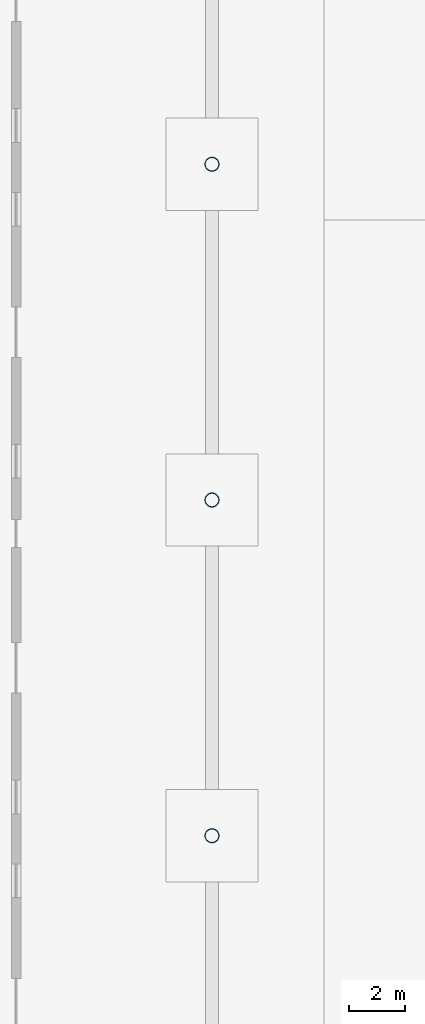
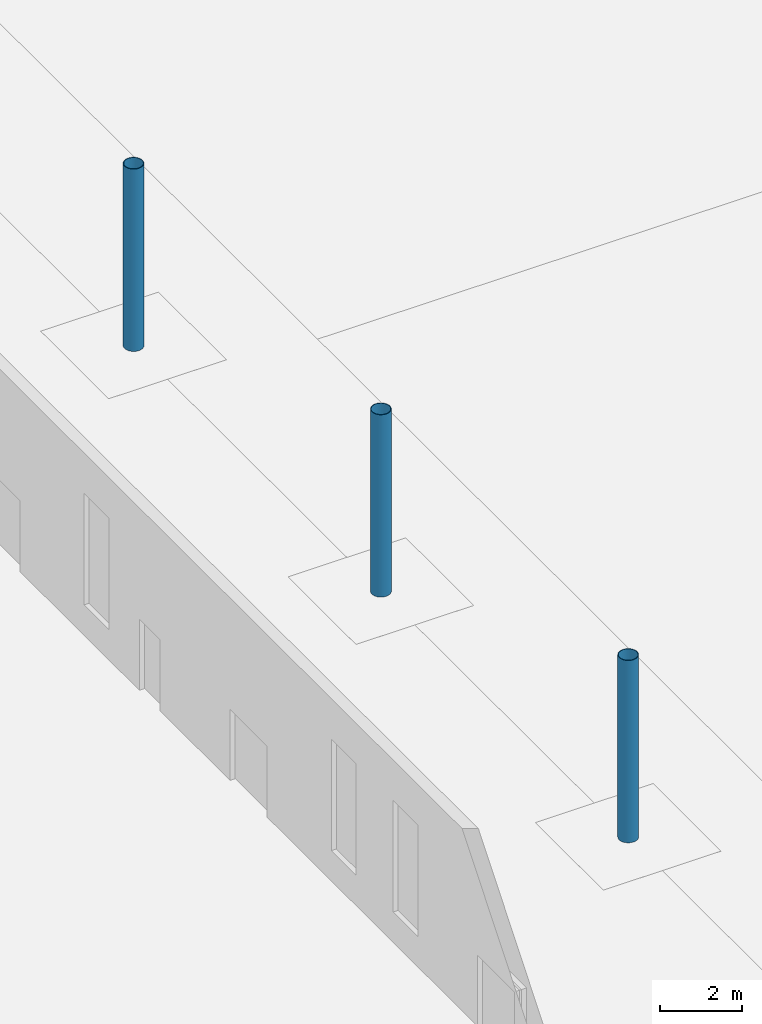
# One storey, part 28 of 132: 3 columns.
"""IFC4 building model written with IfcOpenShell, lengths in metres."""

from ifc_helpers import new_model, si_unit, direction, frame, origin, origin_2d, place, context, subcontext, project, spatial, hollow_circle, extrude, material, material_profile, profile_set, type_object, element, save


model = new_model("IFC4")

# Units and contexts
model_context = context("Model", 3, precision=1e-05, world=origin(), true_north=direction((0.0, 1.0)))
body_context = subcontext(model_context, "Body", "Model", "MODEL_VIEW")
ifc_project = project(units=[si_unit("LENGTHUNIT", "METRE"), si_unit("AREAUNIT", "SQUARE_METRE"), si_unit("VOLUMEUNIT", "CUBIC_METRE"), si_unit("PLANEANGLEUNIT", "RADIAN"), si_unit("MASSUNIT", "GRAM", prefix="KILO")], contexts=[model_context])

# Site, building, storey
site_placement = place(None, origin())
site = spatial("IfcSite", under=ifc_project, at=site_placement, CompositionType="ELEMENT")
building_placement = place(site_placement, origin())
building = spatial("IfcBuilding", under=site, at=building_placement, Name="Ravi Spectrum Wholesale Market", CompositionType="ELEMENT")
storey_placement = place(building_placement, origin())
storey = spatial("IfcBuildingStorey", under=building, at=storey_placement, Name="L00", CompositionType="ELEMENT", Elevation=0.0)

# Columns
ifc_material = material(Name="Steel S355", Category="steel")
ifc_material_profile = material_profile(ifc_material, hollow_circle(Radius=0.25390625, WallThickness=0.01611328125, at=origin_2d()))
ifc_profile_set = profile_set([ifc_material_profile], Name="Steel S355")
column_type = type_object("IfcColumnType", Name="CHS 508x16 column", PredefinedType="COLUMN", material=ifc_profile_set)
for number, where, z_axis, x_axis, name in (
    (1, (110.0, 138.0, 0.0), (0.0, 0.0, 1.0), (1.0, 0.0, 0.0), "H1-COL-L00-025"),
    (2, (110.0, 150.0, 0.0), (0.0, 0.0, 1.0), (1.0, 0.0, 0.0), "H1-COL-L00-026"),
    (3, (110.0, 162.0, 0.0), (0.0, 0.0, 1.0), (1.0, 0.0, 0.0), "H1-COL-L00-027"),
):
    element("IfcColumn", number, at=place(storey_placement, frame(where, z_axis=z_axis, x_axis=x_axis)), inside=storey, type_object=column_type, Name=name, PredefinedType="COLUMN", context=body_context, shape_type="SweptSolid", body=[
        extrude(hollow_circle(Radius=0.25390625, WallThickness=0.01611328125, at=origin_2d()), origin(), (0.0, 0.0, 1.0), 5.39990234375),
    ])

save(model, "model.ifc")
